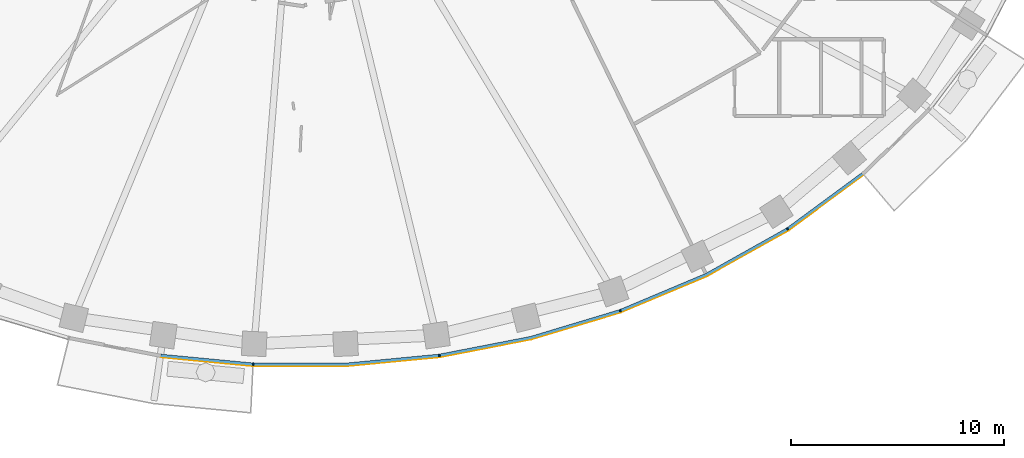
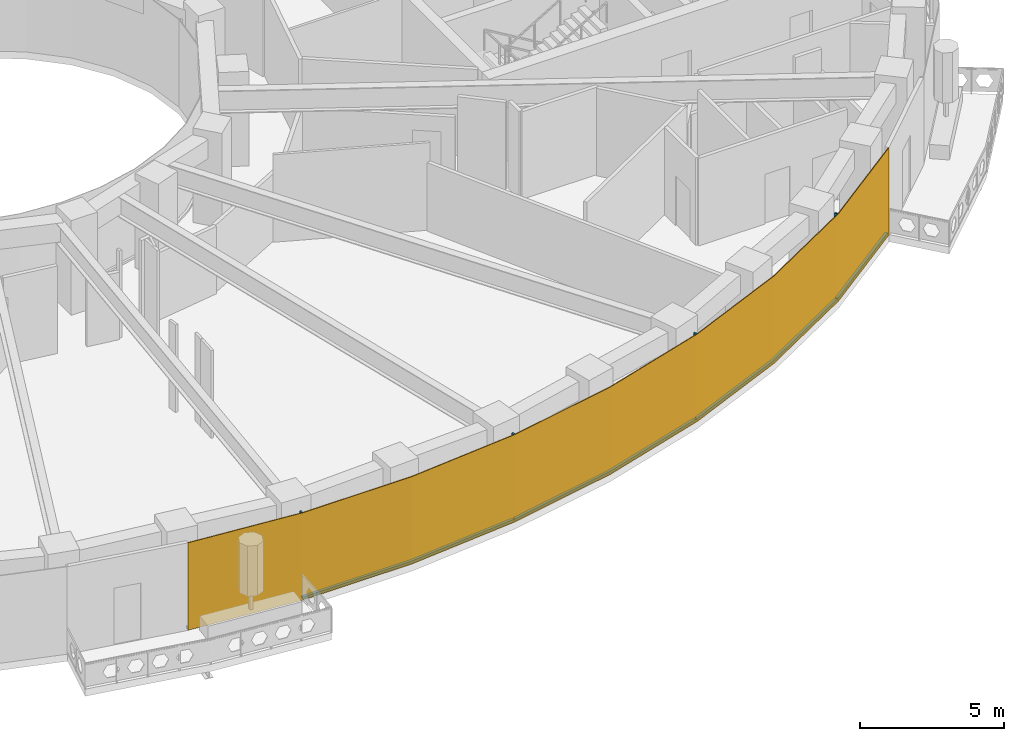
# One storey, part 10 of 17: 9 members, 1 curtain wall.
"""IFC4 building model written with IfcOpenShell, lengths in metres."""

from ifc_helpers import new_model, si_unit, direction, frame, origin, origin_2d, place, context, subcontext, project, spatial, polyline, rectangle, outline, extrude, material, layer, layer_set, material_profile, profile_set, type_object, element, aggregate, save


model = new_model("IFC4")

# Units and contexts
model_context = context("Model", 3, precision=1e-05, world=origin(), true_north=direction((0.0, 1.0)))
body_context = subcontext(model_context, "Body", "Model", "MODEL_VIEW")
ifc_project = project(units=[si_unit("LENGTHUNIT", "METRE"), si_unit("AREAUNIT", "SQUARE_METRE"), si_unit("VOLUMEUNIT", "CUBIC_METRE"), si_unit("PLANEANGLEUNIT", "RADIAN"), si_unit("MASSUNIT", "GRAM", prefix="KILO")], contexts=[model_context])

# Member
ifc_material_1 = material(Name="Aluminium 6063-T6 black anodised", Category="aluminium")
ifc_material_profile = material_profile(ifc_material_1, rectangle(XDim=0.1201171875, YDim=0.06005859375, at=origin_2d()), Name="120x60")
ifc_profile_set = profile_set([ifc_material_profile], Name="Aluminium 6063-T6 black anodised")
member_type_1 = type_object("IfcMemberType", Name="ENV-MULLION-A-120", PredefinedType="MULLION", material=ifc_profile_set)
site_placement = place(None, origin())
building_placement = place(site_placement, origin())
storey_placement = place(building_placement, frame((0.0, 0.0, 190.0)))
member_1_placement = place(storey_placement, frame((-2.188720703125, -27.856201171875, 0.0), z_axis=(0.0, 0.0, 1.0), x_axis=(0.047557873581, 0.998868484166, 0.0)))
member_1 = element("IfcMember", 1, at=member_1_placement, type_object=member_type_1, Name="Mullion A radial 35", PredefinedType="MULLION", context=body_context, shape_type="SweptSolid", body=[
    extrude(rectangle(XDim=0.1201171875, YDim=0.06005859375, at=origin_2d()), origin(), (0.0, 0.0, 1.0), 3.699951171875),
])

member_2_placement = place(storey_placement, frame((6.54638671875, -27.440185546875, 0.0), z_axis=(0.0, 0.0, 1.0), x_axis=(-0.143082012705, 0.989710835366, 0.0)))
member_2 = element("IfcMember", 2, at=member_2_placement, type_object=member_type_1, Name="Mullion A radial 37", PredefinedType="MULLION", context=body_context, shape_type="SweptSolid", body=[
    extrude(rectangle(XDim=0.1201171875, YDim=0.06005859375, at=origin_2d()), origin(), (0.0, 0.0, 1.0), 3.699951171875),
])

member_3_placement = place(storey_placement, frame((15.0341796875, -25.34375, 0.0), z_axis=(0.0, 0.0, 1.0), x_axis=(-0.338379256581, 0.941009818608, 0.0)))
member_3 = element("IfcMember", 3, at=member_3_placement, type_object=member_type_1, Name="Mullion A radial 39", PredefinedType="MULLION", context=body_context, shape_type="SweptSolid", body=[
    extrude(rectangle(XDim=0.1201171875, YDim=0.06005859375, at=origin_2d()), origin(), (0.0, 0.0, 1.0), 3.699951171875),
])

member_4_placement = place(storey_placement, frame((22.882568359375, -21.506591796875, 0.0), z_axis=(0.0, 0.0, 1.0), x_axis=(-0.542279153225, 0.840198381323, 0.0)))
member_4 = element("IfcMember", 4, at=member_4_placement, type_object=member_type_1, Name="Mullion A radial 41", PredefinedType="MULLION", context=body_context, shape_type="SweptSolid", body=[
    extrude(rectangle(XDim=0.1201171875, YDim=0.06005859375, at=origin_2d()), origin(), (0.0, 0.0, 1.0), 3.699951171875),
])

ifc_material_2 = material(Name="Aluminium 6063-T6 black anodised", Category="aluminium")
member_type_2 = type_object("IfcMemberType", Name="ENV-TRANSOM-A", PredefinedType="USERDEFINED", material=ifc_material_2)
member_5_placement = place(storey_placement, origin())
member_5 = element("IfcMember", 5, at=member_5_placement, type_object=member_type_2, Name="Transom A radial 34-35", ObjectType="TRANSOM", PredefinedType="USERDEFINED", context=body_context, shape_type="SweptSolid", body=[
    extrude(outline(polyline([(-6.53515625, -27.50146484375), (-2.219482421875, -27.913330078125), (-2.2138671875, -27.793212890625), (-6.51806640625, -27.382568359375), (-6.53515625, -27.50146484375)])), origin(), (0.0, 0.0, 1.0), 0.10009765625),
])

member_6_placement = place(storey_placement, origin())
member_6 = element("IfcMember", 6, at=member_6_placement, type_object=member_type_2, Name="Transom A radial 35-37", ObjectType="TRANSOM", PredefinedType="USERDEFINED", context=body_context, shape_type="SweptSolid", body=[
    extrude(outline(polyline([(-2.163818359375, -27.916015625), (2.191650390625, -27.916015625), (6.527099609375, -27.502197265625), (6.510009765625, -27.38330078125), (2.185791015625, -27.7958984375), (-2.157958984375, -27.7958984375), (-2.163818359375, -27.916015625)])), origin(), (0.0, 0.0, 1.0), 0.10009765625),
])

member_7_placement = place(storey_placement, origin())
member_7 = element("IfcMember", 7, at=member_7_placement, type_object=member_type_2, Name="Transom A radial 37-39", ObjectType="TRANSOM", PredefinedType="USERDEFINED", context=body_context, shape_type="SweptSolid", body=[
    extrude(outline(polyline([(6.58251953125, -27.494140625), (10.857666015625, -26.6630859375), (15.027587890625, -25.408203125), (14.987060546875, -25.295166015625), (10.828857421875, -26.54638671875), (6.5654296875, -27.375244140625), (6.58251953125, -27.494140625)])), origin(), (0.0, 0.0, 1.0), 0.10009765625),
])

member_8_placement = place(storey_placement, origin())
member_8 = element("IfcMember", 8, at=member_8_placement, type_object=member_type_2, Name="Transom A radial 39-41", ObjectType="TRANSOM", PredefinedType="USERDEFINED", context=body_context, shape_type="SweptSolid", body=[
    extrude(outline(polyline([(15.080322265625, -25.389404296875), (19.093994140625, -23.701416015625), (22.890625, -21.570556640625), (22.825439453125, -21.469482421875), (19.041259765625, -23.593505859375), (15.03955078125, -25.276123046875), (15.080322265625, -25.389404296875)])), origin(), (0.0, 0.0, 1.0), 0.10009765625),
])

member_9_placement = place(storey_placement, origin())
member_9 = element("IfcMember", 9, at=member_9_placement, type_object=member_type_2, Name="Transom A radial 41-42", ObjectType="TRANSOM", PredefinedType="USERDEFINED", context=body_context, shape_type="SweptSolid", body=[
    extrude(outline(polyline([(22.937744140625, -21.540283203125), (26.42626953125, -18.970703125), (26.348388671875, -18.87890625), (22.87255859375, -21.439208984375), (22.937744140625, -21.540283203125)])), origin(), (0.0, 0.0, 1.0), 0.10009765625),
])

# Site, building, storey
site = spatial("IfcSite", under=ifc_project, at=site_placement, CompositionType="ELEMENT")
building = spatial("IfcBuilding", under=site, at=building_placement, Name="Noorbagh Ring Tower", CompositionType="ELEMENT")
storey = spatial("IfcBuildingStorey", under=building, at=storey_placement, Name="L44", CompositionType="ELEMENT", Elevation=190.0)

# Curtain wall
ifc_material_3 = material(Name="Glass dark tinted laminated", Category="glass")
ifc_layer = layer(ifc_material_3, 0.031982421875)
ifc_layer_set = layer_set([ifc_layer], Name="Glass dark tinted laminated")
curtain_wall_type = type_object("IfcCurtainWallType", Name="ENV-CW-A", PredefinedType="NOTDEFINED", material=ifc_layer_set)
curtain_wall_placement = place(storey_placement, origin())
curtain_wall = element("IfcCurtainWall", 10, at=curtain_wall_placement, inside=storey, type_object=curtain_wall_type, Name="Curtain wall A R34", PredefinedType="NOTDEFINED", context=body_context, shape_type="SweptSolid", body=[
    extrude(outline(polyline([(-6.539794921875, -27.533203125), (-2.193115234375, -27.947998046875), (2.193115234375, -27.947998046875), (6.559814453125, -27.53125), (10.865234375, -26.6943359375), (15.065185546875, -25.430419921875), (19.108154296875, -23.730224609375), (22.9326171875, -21.583740234375), (26.447021484375, -18.9951171875), (26.42626953125, -18.970703125), (22.9150390625, -21.556884765625), (19.093994140625, -23.701416015625), (15.054443359375, -25.400146484375), (10.857666015625, -26.6630859375), (6.55517578125, -27.49951171875), (2.191650390625, -27.916015625), (-2.191650390625, -27.916015625), (-6.53515625, -27.50146484375), (-6.539794921875, -27.533203125)])), origin(), (0.0, 0.0, 1.0), 3.699951171875),
])

aggregate(curtain_wall, [member_1, member_2, member_3, member_4, member_5, member_6, member_7, member_8, member_9])

save(model, "model.ifc")
